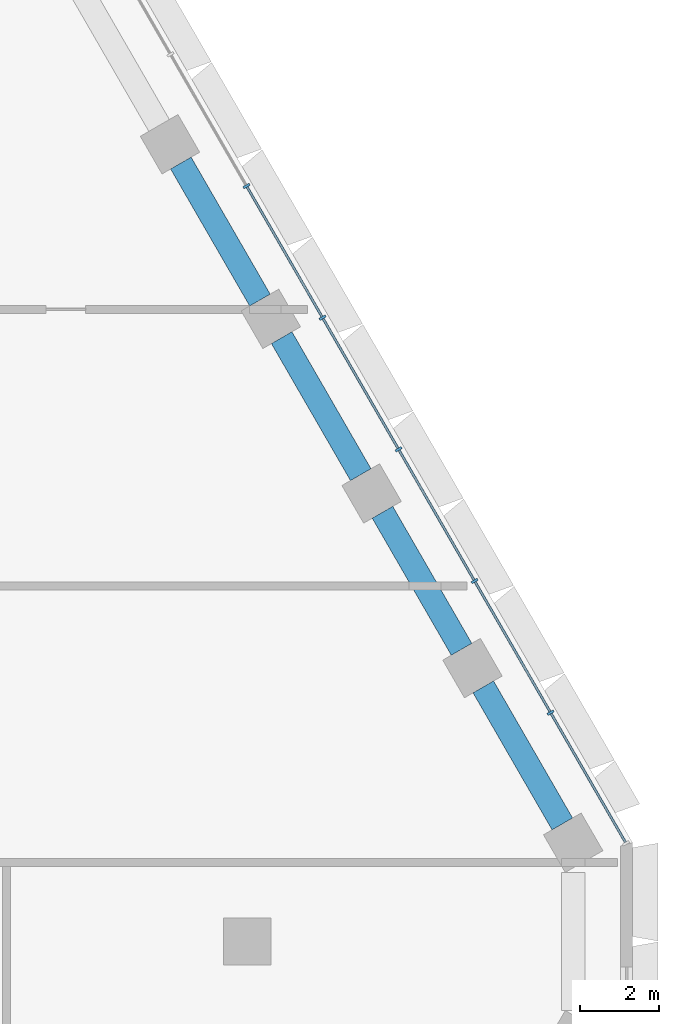
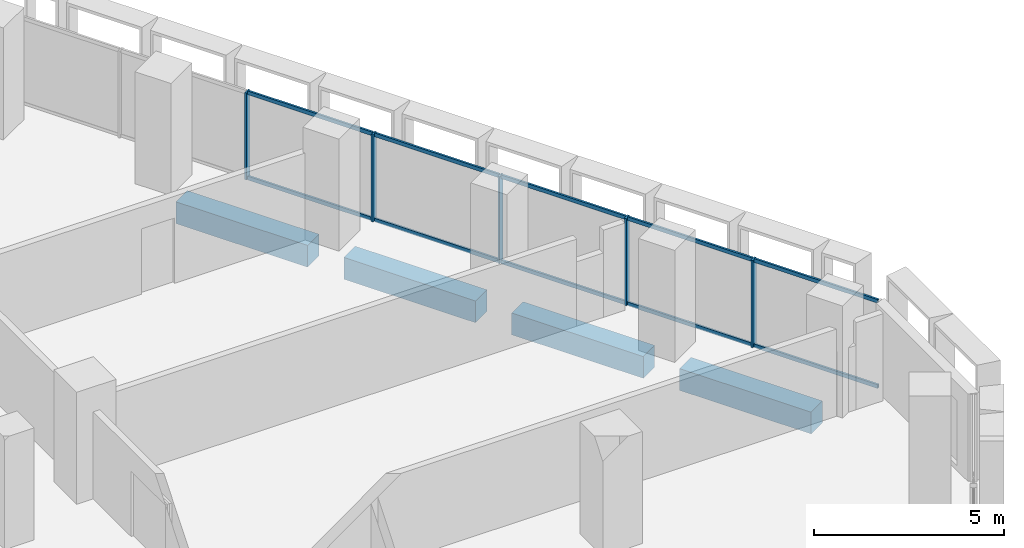
# One storey, part 8 of 21: 15 members, 4 beams, 1 element without a shape of its own.
"""IFC4 building model written with IfcOpenShell, lengths in metres."""

from ifc_helpers import new_model, si_unit, direction, frame, origin, origin_2d, place, context, subcontext, project, spatial, rectangle, hollow_rectangle, extrude, material, material_profile, profile_set, type_object, element, aggregate, save


model = new_model("IFC4")

# Units and contexts
model_context = context("Model", 3, precision=1e-05, world=origin(), true_north=direction((0.0, 1.0)))
body_context = subcontext(model_context, "Body", "Model", "MODEL_VIEW")
ifc_project = project(units=[si_unit("LENGTHUNIT", "METRE"), si_unit("AREAUNIT", "SQUARE_METRE"), si_unit("VOLUMEUNIT", "CUBIC_METRE"), si_unit("PLANEANGLEUNIT", "RADIAN"), si_unit("MASSUNIT", "GRAM", prefix="KILO")], contexts=[model_context])

# Site, building, storey
site_placement = place(None, origin())
site = spatial("IfcSite", under=ifc_project, at=site_placement, CompositionType="ELEMENT")
building_placement = place(site_placement, origin())
building = spatial("IfcBuilding", under=site, at=building_placement, Name="Beryl Residences", CompositionType="ELEMENT")
storey_placement = place(building_placement, frame((0.0, 0.0, 19.800048828125)))
storey = spatial("IfcBuildingStorey", under=building, at=storey_placement, Name="L05", CompositionType="ELEMENT", Elevation=19.800048828125)

# Curtain wall, members
ifc_material_1 = material(Name="Aluminium and clear glass", Category="aluminium")
curtain_wall_type = type_object("IfcCurtainWallType", Name="CW2 amenity glazing glazed wall", PredefinedType="NOTDEFINED", material=ifc_material_1)
curtain_wall_placement = place(storey_placement, origin())
curtain_wall = element("IfcCurtainWall", 1, at=curtain_wall_placement, inside=storey, type_object=curtain_wall_type, Name="CW2 L05 NE", PredefinedType="NOTDEFINED")
ifc_material_2 = material(Name="Aluminium", Category="aluminium")
ifc_material_profile_1 = material_profile(ifc_material_2, rectangle(XDim=0.06005859375, YDim=0.179931640625, at=origin_2d()))
ifc_profile_set_1 = profile_set([ifc_material_profile_1], Name="Aluminium")
member_type_1 = type_object("IfcMemberType", Name="CW2-M mullion 60 x 180 mm", PredefinedType="MULLION", material=ifc_profile_set_1)
member_1_placement = place(storey_placement, frame((29.275634765625, 5.79296875, 0.0), z_axis=(0.0, 0.0, 1.0), x_axis=(-0.500011643322, 0.866018681405, 0.0)))
member_1 = element("IfcMember", 2, at=member_1_placement, type_object=member_type_1, Name="CW2 mullion 2", PredefinedType="MULLION", context=body_context, shape_type="SweptSolid", body=[
    extrude(rectangle(XDim=0.06005859375, YDim=0.179931640625, at=origin_2d()), origin(), (0.0, 0.0, 1.0), 2.800048828125),
])
member_2_placement = place(storey_placement, frame((27.351318359375, 9.125732421875, 0.0), z_axis=(0.0, 0.0, 1.0), x_axis=(-0.500011643322, 0.866018681405, 0.0)))
member_2 = element("IfcMember", 3, at=member_2_placement, type_object=member_type_1, Name="CW2 mullion 3", PredefinedType="MULLION", context=body_context, shape_type="SweptSolid", body=[
    extrude(rectangle(XDim=0.06005859375, YDim=0.179931640625, at=origin_2d()), origin(), (0.0, 0.0, 1.0), 2.800048828125),
])
member_3_placement = place(storey_placement, frame((25.42724609375, 12.45849609375, 0.0), z_axis=(0.0, 0.0, 1.0), x_axis=(-0.500011643322, 0.866018681405, 0.0)))
member_3 = element("IfcMember", 4, at=member_3_placement, type_object=member_type_1, Name="CW2 mullion 4", PredefinedType="MULLION", context=body_context, shape_type="SweptSolid", body=[
    extrude(rectangle(XDim=0.06005859375, YDim=0.179931640625, at=origin_2d()), origin(), (0.0, 0.0, 1.0), 2.800048828125),
])
member_4_placement = place(storey_placement, frame((23.5029296875, 15.79150390625, 0.0), z_axis=(0.0, 0.0, 1.0), x_axis=(-0.500011643322, 0.866018681405, 0.0)))
member_4 = element("IfcMember", 5, at=member_4_placement, type_object=member_type_1, Name="CW2 mullion 5", PredefinedType="MULLION", context=body_context, shape_type="SweptSolid", body=[
    extrude(rectangle(XDim=0.06005859375, YDim=0.179931640625, at=origin_2d()), origin(), (0.0, 0.0, 1.0), 2.800048828125),
])
member_5_placement = place(storey_placement, frame((21.57861328125, 19.124267578125, 0.0), z_axis=(0.0, 0.0, 1.0), x_axis=(-0.500011643322, 0.866018681405, 0.0)))
member_5 = element("IfcMember", 6, at=member_5_placement, type_object=member_type_1, Name="CW2 mullion 6", PredefinedType="MULLION", context=body_context, shape_type="SweptSolid", body=[
    extrude(rectangle(XDim=0.06005859375, YDim=0.179931640625, at=origin_2d()), origin(), (0.0, 0.0, 1.0), 2.800048828125),
])
ifc_material_3 = material(Name="Aluminium", Category="aluminium")
ifc_material_profile_2 = material_profile(ifc_material_3, hollow_rectangle(XDim=0.06005859375, YDim=0.1201171875, WallThickness=0.00390625, at=origin_2d()))
ifc_profile_set_2 = profile_set([ifc_material_profile_2], Name="Aluminium")
member_type_2 = type_object("IfcMemberType", Name="CW2-T transom 60 x 120 mm", PredefinedType="USERDEFINED", material=ifc_profile_set_2)
member_6_placement = place(storey_placement, frame((31.169921875, 2.511962890625, 0.030029296875), z_axis=(-0.499988609959, 0.866031979728, 0.0), x_axis=(-0.866031979728, -0.499988609959, 0.0)))
member_6 = element("IfcMember", 7, at=member_6_placement, type_object=member_type_2, Name="CW2 transom 1.1", ObjectType="TRANSOM", PredefinedType="USERDEFINED", context=body_context, shape_type="SweptSolid", body=[
    extrude(hollow_rectangle(XDim=0.06005859375, YDim=0.1201171875, WallThickness=0.00390625, at=origin_2d()), origin(), (0.0, 0.0, 1.0), 3.75830078125),
])
member_7_placement = place(storey_placement, frame((31.169921875, 2.511962890625, 2.77001953125), z_axis=(-0.499988609959, 0.866031979728, 0.0), x_axis=(-0.866031979728, -0.499988609959, 0.0)))
member_7 = element("IfcMember", 8, at=member_7_placement, type_object=member_type_2, Name="CW2 transom 1.2", ObjectType="TRANSOM", PredefinedType="USERDEFINED", context=body_context, shape_type="SweptSolid", body=[
    extrude(hollow_rectangle(XDim=0.06005859375, YDim=0.1201171875, WallThickness=0.00390625, at=origin_2d()), origin(), (0.0, 0.0, 1.0), 3.75830078125),
])
member_8_placement = place(storey_placement, frame((29.2607421875, 5.81884765625, 0.030029296875), z_axis=(-0.499999503755, 0.866025690291, 0.0), x_axis=(-0.866025690291, -0.499999503755, 0.0)))
member_8 = element("IfcMember", 9, at=member_8_placement, type_object=member_type_2, Name="CW2 transom 2.1", ObjectType="TRANSOM", PredefinedType="USERDEFINED", context=body_context, shape_type="SweptSolid", body=[
    extrude(hollow_rectangle(XDim=0.06005859375, YDim=0.1201171875, WallThickness=0.00390625, at=origin_2d()), origin(), (0.0, 0.0, 1.0), 3.78857421875),
])
member_9_placement = place(storey_placement, frame((29.2607421875, 5.81884765625, 2.77001953125), z_axis=(-0.499999503755, 0.866025690291, 0.0), x_axis=(-0.866025690291, -0.499999503755, 0.0)))
member_9 = element("IfcMember", 10, at=member_9_placement, type_object=member_type_2, Name="CW2 transom 2.2", ObjectType="TRANSOM", PredefinedType="USERDEFINED", context=body_context, shape_type="SweptSolid", body=[
    extrude(hollow_rectangle(XDim=0.06005859375, YDim=0.1201171875, WallThickness=0.00390625, at=origin_2d()), origin(), (0.0, 0.0, 1.0), 3.78857421875),
])
member_10_placement = place(storey_placement, frame((27.33642578125, 9.151611328125, 0.030029296875), z_axis=(-0.499999503755, 0.866025690291, 0.0), x_axis=(-0.866025690291, -0.499999503755, 0.0)))
member_10 = element("IfcMember", 11, at=member_10_placement, type_object=member_type_2, Name="CW2 transom 3.1", ObjectType="TRANSOM", PredefinedType="USERDEFINED", context=body_context, shape_type="SweptSolid", body=[
    extrude(hollow_rectangle(XDim=0.06005859375, YDim=0.1201171875, WallThickness=0.00390625, at=origin_2d()), origin(), (0.0, 0.0, 1.0), 3.78857421875),
])
member_11_placement = place(storey_placement, frame((27.33642578125, 9.151611328125, 2.77001953125), z_axis=(-0.499999503755, 0.866025690291, 0.0), x_axis=(-0.866025690291, -0.499999503755, 0.0)))
member_11 = element("IfcMember", 12, at=member_11_placement, type_object=member_type_2, Name="CW2 transom 3.2", ObjectType="TRANSOM", PredefinedType="USERDEFINED", context=body_context, shape_type="SweptSolid", body=[
    extrude(hollow_rectangle(XDim=0.06005859375, YDim=0.1201171875, WallThickness=0.00390625, at=origin_2d()), origin(), (0.0, 0.0, 1.0), 3.78857421875),
])
member_12_placement = place(storey_placement, frame((25.412109375, 12.484619140625, 0.030029296875), z_axis=(-0.500027408906, 0.866009578667, 0.0), x_axis=(-0.866009578667, -0.500027408906, 0.0)))
member_12 = element("IfcMember", 13, at=member_12_placement, type_object=member_type_2, Name="CW2 transom 4.1", ObjectType="TRANSOM", PredefinedType="USERDEFINED", context=body_context, shape_type="SweptSolid", body=[
    extrude(hollow_rectangle(XDim=0.06005859375, YDim=0.1201171875, WallThickness=0.00390625, at=origin_2d()), origin(), (0.0, 0.0, 1.0), 3.788330078125),
])
member_13_placement = place(storey_placement, frame((25.412109375, 12.484619140625, 2.77001953125), z_axis=(-0.500027408906, 0.866009578667, 0.0), x_axis=(-0.866009578667, -0.500027408906, 0.0)))
member_13 = element("IfcMember", 14, at=member_13_placement, type_object=member_type_2, Name="CW2 transom 4.2", ObjectType="TRANSOM", PredefinedType="USERDEFINED", context=body_context, shape_type="SweptSolid", body=[
    extrude(hollow_rectangle(XDim=0.06005859375, YDim=0.1201171875, WallThickness=0.00390625, at=origin_2d()), origin(), (0.0, 0.0, 1.0), 3.788330078125),
])
member_14_placement = place(storey_placement, frame((23.48779296875, 15.8173828125, 0.030029296875), z_axis=(-0.499999503755, 0.866025690291, 0.0), x_axis=(-0.866025690291, -0.499999503755, 0.0)))
member_14 = element("IfcMember", 15, at=member_14_placement, type_object=member_type_2, Name="CW2 transom 5.1", ObjectType="TRANSOM", PredefinedType="USERDEFINED", context=body_context, shape_type="SweptSolid", body=[
    extrude(hollow_rectangle(XDim=0.06005859375, YDim=0.1201171875, WallThickness=0.00390625, at=origin_2d()), origin(), (0.0, 0.0, 1.0), 3.78857421875),
])
member_15_placement = place(storey_placement, frame((23.48779296875, 15.8173828125, 2.77001953125), z_axis=(-0.499999503755, 0.866025690291, 0.0), x_axis=(-0.866025690291, -0.499999503755, 0.0)))
member_15 = element("IfcMember", 16, at=member_15_placement, type_object=member_type_2, Name="CW2 transom 5.2", ObjectType="TRANSOM", PredefinedType="USERDEFINED", context=body_context, shape_type="SweptSolid", body=[
    extrude(hollow_rectangle(XDim=0.06005859375, YDim=0.1201171875, WallThickness=0.00390625, at=origin_2d()), origin(), (0.0, 0.0, 1.0), 3.78857421875),
])
aggregate(curtain_wall, [member_1, member_2, member_3, member_4, member_5, member_6, member_7, member_8, member_9, member_10, member_11, member_12, member_13, member_14, member_15])

# Beams
ifc_material_4 = material(Name="Concrete C80/95", Category="concrete")
ifc_material_profile_3 = material_profile(ifc_material_4, rectangle(XDim=0.60009765625, YDim=0.699951171875, at=origin_2d()))
ifc_profile_set_3 = profile_set([ifc_material_profile_3], Name="Concrete C80/95")
beam_type = type_object("IfcBeamType", Name="SB1 spandrel beam 600 x 700 C80/95", PredefinedType="SPANDREL", material=ifc_profile_set_3)
beam_placement = place(storey_placement, frame((29.572998046875, 2.97607421875, -0.699951171875), z_axis=(-0.499653843024, 0.866225165388, 0.0), x_axis=(-0.866225165388, -0.499653843024, 0.0)))
element("IfcBeam", 17, at=beam_placement, inside=storey, type_object=beam_type, Name="SB1 L05 NE-0", PredefinedType="SPANDREL", context=body_context, shape_type="SweptSolid", body=[
    extrude(rectangle(XDim=0.60009765625, YDim=0.699951171875, at=origin_2d()), origin(), (0.0, 0.0, 1.0), 4.004638671875),
])
for number, where, z_axis, x_axis, name in (
    (18, (27.02197265625, 7.39697265625, -0.699951171875), (-0.499942357345, 0.866058681229, 0.0), (-0.866058681229, -0.499942357345, 0.0), "SB1 L05 NE-1"),
    (19, (24.469970703125, 11.81689453125, -0.699951171875), (-0.499942357345, 0.866058681229, 0.0), (-0.866058681229, -0.499942357345, 0.0), "SB1 L05 NE-2"),
    (20, (21.91796875, 16.237060546875, -0.699951171875), (-0.499942357345, 0.866058681229, 0.0), (-0.866058681229, -0.499942357345, 0.0), "SB1 L05 NE-3"),
):
    element("IfcBeam", number, at=place(storey_placement, frame(where, z_axis=z_axis, x_axis=x_axis)), inside=storey, type_object=beam_type, Name=name, PredefinedType="SPANDREL", context=body_context, shape_type="SweptSolid", body=[
        extrude(rectangle(XDim=0.60009765625, YDim=0.699951171875, at=origin_2d()), origin(), (0.0, 0.0, 1.0), 4.00439453125),
    ])

save(model, "model.ifc")
